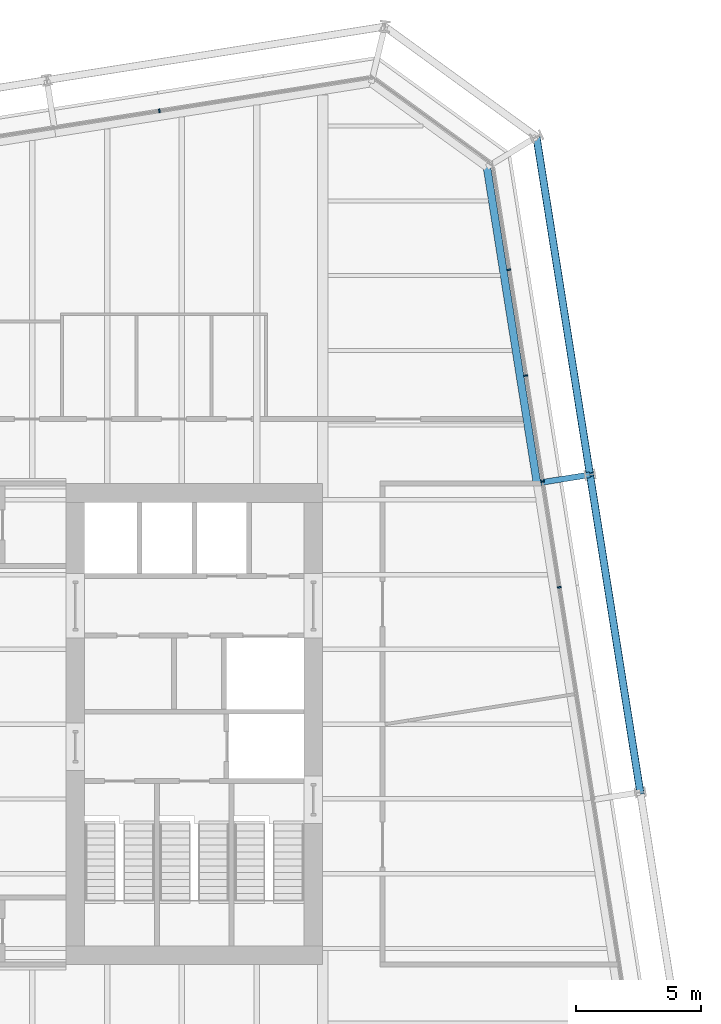
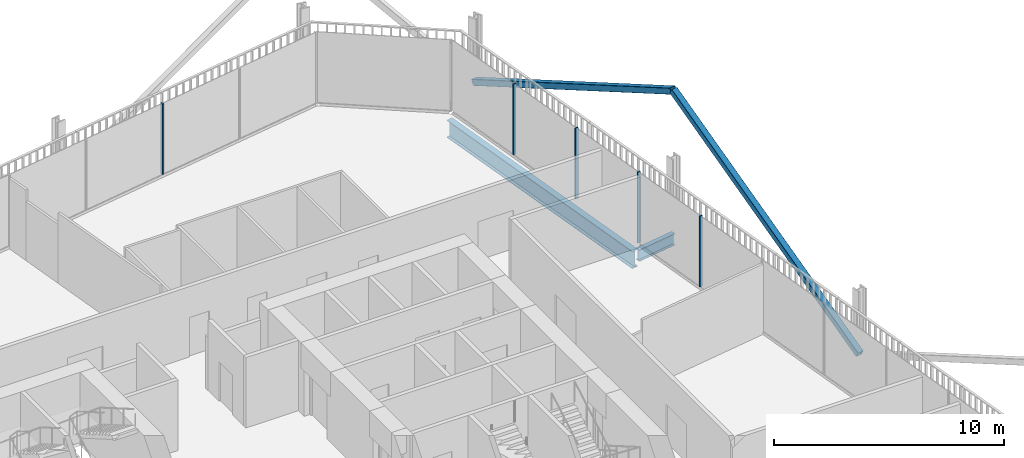
# One storey, part 15 of 22: 7 members, 2 beams, 2 elements without a shape of their own.
"""IFC4 building model written with IfcOpenShell, lengths in metres."""

from ifc_helpers import new_model, si_unit, direction, frame, origin, origin_2d, place, context, subcontext, project, spatial, rectangle, hollow_rectangle, i_section, extrude, material, layer, layer_set, material_profile, profile_set, type_object, element, aggregate, save


model = new_model("IFC4")

# Units and contexts
model_context = context("Model", 3, precision=1e-05, world=origin(), true_north=direction((0.0, 1.0)))
body_context = subcontext(model_context, "Body", "Model", "MODEL_VIEW")
ifc_project = project(units=[si_unit("LENGTHUNIT", "METRE"), si_unit("AREAUNIT", "SQUARE_METRE"), si_unit("VOLUMEUNIT", "CUBIC_METRE"), si_unit("PLANEANGLEUNIT", "RADIAN"), si_unit("MASSUNIT", "GRAM", prefix="KILO")], contexts=[model_context])

# Site, building, storey
site_placement = place(None, origin())
site = spatial("IfcSite", under=ifc_project, at=site_placement, CompositionType="ELEMENT")
building_placement = place(site_placement, origin())
building = spatial("IfcBuilding", under=site, at=building_placement, Name="Millrace Tower", CompositionType="ELEMENT")
storey_placement = place(building_placement, frame((0.0, 0.0, 180.0)))
storey = spatial("IfcBuildingStorey", under=building, at=storey_placement, Name="L40", CompositionType="ELEMENT", Elevation=180.0)

# Curtain wall, members
ifc_material_1 = material(Name="Aluminium and glass", Category="aluminium")
ifc_layer = layer(ifc_material_1, 0.14990234375)
ifc_layer_set = layer_set([ifc_layer], Name="Aluminium and glass")
curtain_wall_type = type_object("IfcCurtainWallType", Name="CW-1 office vision curtain wall", PredefinedType="NOTDEFINED", material=ifc_layer_set)
placement = place(storey_placement, origin())
curtain_wall_1 = element("IfcCurtainWall", 1, at=placement, inside=storey, type_object=curtain_wall_type, Name="Curtain wall C-F04 L40", PredefinedType="NOTDEFINED")
ifc_material_2 = material(Name="Aluminium", Category="aluminium")
ifc_material_profile_1 = material_profile(ifc_material_2, rectangle(XDim=0.06494140625, YDim=0.14990234375, at=origin_2d()))
ifc_profile_set_1 = profile_set([ifc_material_profile_1], Name="Aluminium")
member_type_1 = type_object("IfcMemberType", Name="CW-1 office vision curtain wall mullion", PredefinedType="MULLION", material=ifc_profile_set_1)
member_1_placement = place(storey_placement, frame((24.143310546875, 5.49365234375, 0.139892578125), z_axis=(0.0, 0.0, 1.0), x_axis=(-0.15643447328, 0.98768833929, 0.0)))
member_1 = element("IfcMember", 2, at=member_1_placement, type_object=member_type_1, Name="CW1 mullion C-F04.6", PredefinedType="MULLION", context=body_context, shape_type="SweptSolid", body=[
    extrude(rectangle(XDim=0.06494140625, YDim=0.14990234375, at=origin_2d()), origin(), (0.0, 0.0, 1.0), 3.760009765625),
])
member_2_placement = place(storey_placement, frame((23.470703125, 9.74072265625, 0.139892578125), z_axis=(0.0, 0.0, 1.0), x_axis=(-0.15643447328, 0.98768833929, 0.0)))
member_2 = element("IfcMember", 3, at=member_2_placement, type_object=member_type_1, Name="CW1 mullion C-F04.7", PredefinedType="MULLION", context=body_context, shape_type="SweptSolid", body=[
    extrude(rectangle(XDim=0.06494140625, YDim=0.14990234375, at=origin_2d()), origin(), (0.0, 0.0, 1.0), 3.760009765625),
])
member_3_placement = place(storey_placement, frame((22.798095703125, 13.98779296875, 0.139892578125), z_axis=(0.0, 0.0, 1.0), x_axis=(-0.15643447328, 0.98768833929, 0.0)))
member_3 = element("IfcMember", 4, at=member_3_placement, type_object=member_type_1, Name="CW1 mullion C-F04.8", PredefinedType="MULLION", context=body_context, shape_type="SweptSolid", body=[
    extrude(rectangle(XDim=0.06494140625, YDim=0.14990234375, at=origin_2d()), origin(), (0.0, 0.0, 1.0), 3.760009765625),
])
member_4_placement = place(storey_placement, frame((22.125244140625, 18.23486328125, 0.139892578125), z_axis=(0.0, 0.0, 1.0), x_axis=(-0.15643447328, 0.98768833929, 0.0)))
member_4 = element("IfcMember", 5, at=member_4_placement, type_object=member_type_1, Name="CW1 mullion C-F04.9", PredefinedType="MULLION", context=body_context, shape_type="SweptSolid", body=[
    extrude(rectangle(XDim=0.06494140625, YDim=0.14990234375, at=origin_2d()), origin(), (0.0, 0.0, 1.0), 3.760009765625),
])
aggregate(curtain_wall_1, [member_1, member_2, member_3, member_4])

# Curtain wall, member
curtain_wall_2 = element("IfcCurtainWall", 6, at=placement, inside=storey, type_object=curtain_wall_type, Name="Curtain wall C-F06 L40", PredefinedType="NOTDEFINED")
member_5_placement = place(storey_placement, frame((8.09765625, 24.611328125, 0.139892578125), z_axis=(0.0, 0.0, 1.0), x_axis=(-0.98768833929, -0.15643447328, 0.0)))
member_5 = element("IfcMember", 7, at=member_5_placement, type_object=member_type_1, Name="CW1 mullion C-F06.3", PredefinedType="MULLION", context=body_context, shape_type="SweptSolid", body=[
    extrude(rectangle(XDim=0.06494140625, YDim=0.14990234375, at=origin_2d()), origin(), (0.0, 0.0, 1.0), 3.760009765625),
])
aggregate(curtain_wall_2, [member_5])

# Members
ifc_material_3 = material(Name="Steel ASTM A500 Grade C", Category="steel")
ifc_material_profile_2 = material_profile(ifc_material_3, hollow_rectangle(XDim=0.3046875, YDim=0.3046875, WallThickness=0.0126953125, InnerFilletRadius=0.00634765625, OuterFilletRadius=0.01904296875, at=origin_2d()))
ifc_profile_set_2 = profile_set([ifc_material_profile_2], Name="Steel ASTM A500 Grade C")
member_type_2 = type_object("IfcMemberType", Name="Exoskeleton brace HSS12x12x1/2", PredefinedType="BRACE", material=ifc_profile_set_2)
member_6_placement = place(storey_placement, frame((27.39501953125, -2.7314453125, 0.39990234375), z_axis=(-0.137499609887, 0.868113917345, 0.476940335673), x_axis=(-0.987687659758, -0.156438763615, 0.0)))
element("IfcMember", 8, at=member_6_placement, inside=storey, type_object=member_type_2, Name="BRC-C-L40-07", PredefinedType="BRACE", context=body_context, shape_type="SweptSolid", body=[
    extrude(hollow_rectangle(XDim=0.3046875, YDim=0.3046875, WallThickness=0.0126953125, InnerFilletRadius=0.00634765625, OuterFilletRadius=0.01904296875, at=origin_2d()), origin(), (0.0, 0.0, 1.0), 14.677001953125),
])
member_7_placement = place(storey_placement, frame((23.2294921875, 23.569091796875, 0.39990234375), z_axis=(0.139355372932, -0.879906554943, 0.454251620363), x_axis=(0.987689751328, 0.156425557764, 0.0)))
element("IfcMember", 9, at=member_7_placement, inside=storey, type_object=member_type_2, Name="BRC-C-L40-08", PredefinedType="BRACE", context=body_context, shape_type="SweptSolid", body=[
    extrude(hollow_rectangle(XDim=0.3046875, YDim=0.3046875, WallThickness=0.0126953125, InnerFilletRadius=0.00634765625, OuterFilletRadius=0.01904296875, at=origin_2d()), origin(), (0.0, 0.0, 1.0), 15.409912109375),
])

# Beams
ifc_material_4 = material(Name="Steel ASTM A992 Grade 50", Category="steel")
ifc_material_profile_3 = material_profile(ifc_material_4, i_section(OverallWidth=0.23046875, OverallDepth=0.6171875, WebThickness=0.01318359375, FlangeThickness=0.022216796875, FilletRadius=0.012939453125, at=origin_2d()))
ifc_profile_set_3 = profile_set([ifc_material_profile_3], Name="Steel ASTM A992 Grade 50")
beam_type_1 = type_object("IfcBeamType", Name="Link beam W24x94", PredefinedType="BEAM", material=ifc_profile_set_3)
beam_1_placement = place(storey_placement, frame((23.401611328125, 9.69677734375, -0.468505859375), z_axis=(0.987678691416, 0.156495375404, 0.0), x_axis=(-0.156495375404, 0.987678691416, 0.0)))
element("IfcBeam", 10, at=beam_1_placement, inside=storey, type_object=beam_type_1, Name="LNK-C-L40-S1-10", PredefinedType="BEAM", context=body_context, shape_type="SweptSolid", body=[
    extrude(i_section(OverallWidth=0.23046875, OverallDepth=0.6171875, WebThickness=0.01318359375, FlangeThickness=0.022216796875, FilletRadius=0.012939453125, at=origin_2d()), origin(), (0.0, 0.0, 1.0), 2.0),
])
ifc_material_5 = material(Name="Steel ASTM A992 Grade 50", Category="steel")
ifc_material_profile_4 = material_profile(ifc_material_5, i_section(OverallWidth=0.307373046875, OverallDepth=0.927001953125, WebThickness=0.01953125, FlangeThickness=0.031982421875, FilletRadius=0.01904296875, at=origin_2d()))
ifc_profile_set_4 = profile_set([ifc_material_profile_4], Name="Steel ASTM A992 Grade 50")
beam_type_2 = type_object("IfcBeamType", Name="Ring beam medium span W36x194", PredefinedType="SPANDREL", material=ifc_profile_set_4)
beam_2_placement = place(storey_placement, frame((21.241943359375, 22.35107421875, -0.62353515625), z_axis=(0.156436246498, -0.987688058438, 0.0), x_axis=(0.987688058438, 0.156436246498, 0.0)))
element("IfcBeam", 11, at=beam_2_placement, inside=storey, type_object=beam_type_2, Name="RNG-C-L40-S1-09", PredefinedType="SPANDREL", context=body_context, shape_type="SweptSolid", body=[
    extrude(i_section(OverallWidth=0.307373046875, OverallDepth=0.927001953125, WebThickness=0.01953125, FlangeThickness=0.031982421875, FilletRadius=0.01904296875, at=origin_2d()), origin(), (0.0, 0.0, 1.0), 12.836181640625),
])

save(model, "model.ifc")
